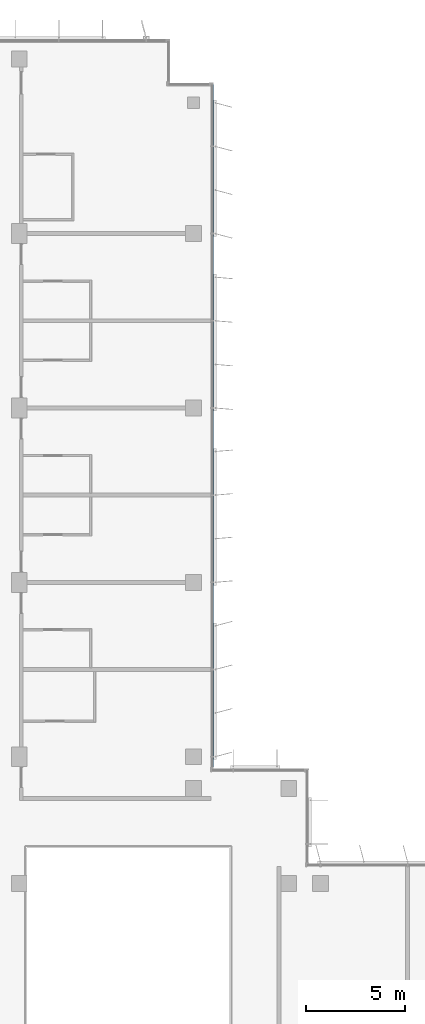
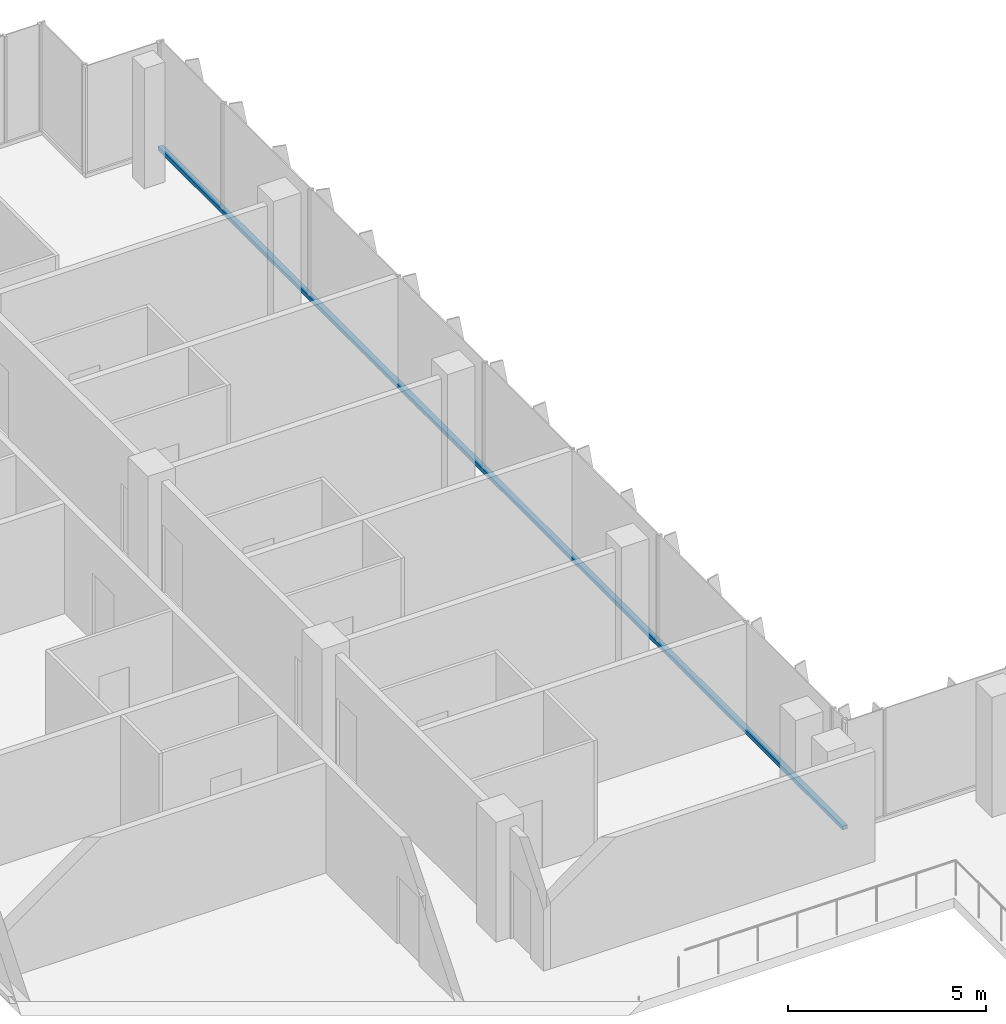
# One storey, part 5 of 17: 1 member, 1 element without a shape of its own.
"""IFC4 building model written with IfcOpenShell, lengths in metres."""

from ifc_helpers import new_model, si_unit, direction, frame, origin, origin_2d, place, context, subcontext, project, spatial, rectangle, extrude, material, material_profile, profile_set, type_object, element, aggregate, save


model = new_model("IFC4")

# Units and contexts
model_context = context("Model", 3, precision=1e-05, world=origin(), true_north=direction((0.0, 1.0)))
body_context = subcontext(model_context, "Body", "Model", "MODEL_VIEW")
ifc_project = project(units=[si_unit("LENGTHUNIT", "METRE"), si_unit("AREAUNIT", "SQUARE_METRE"), si_unit("VOLUMEUNIT", "CUBIC_METRE"), si_unit("PLANEANGLEUNIT", "RADIAN"), si_unit("MASSUNIT", "GRAM", prefix="KILO")], contexts=[model_context])

# Site, building, storey
site_placement = place(None, origin())
site = spatial("IfcSite", under=ifc_project, at=site_placement, CompositionType="ELEMENT")
building_placement = place(site_placement, origin())
building = spatial("IfcBuilding", under=site, at=building_placement, Name="Kemantara Hotel Tower", CompositionType="ELEMENT")
storey_placement = place(building_placement, frame((0.0, 0.0, 222.800048828125)))
storey = spatial("IfcBuildingStorey", under=building, at=storey_placement, Name="L55", CompositionType="ELEMENT", Elevation=222.800048828125)

# Curtain wall, member
ifc_material_1 = material(Name="Low-E tinted double insulated glass 36 mm", Category="glass")
curtain_wall_type = type_object("IfcCurtainWallType", Name="TOWER CURTAIN WALL, FRONT FACES", PredefinedType="USERDEFINED", material=ifc_material_1)
curtain_wall_placement = place(storey_placement, origin())
curtain_wall = element("IfcCurtainWall", 1, at=curtain_wall_placement, inside=storey, type_object=curtain_wall_type, Name="CW4 L55 T4-R15-1", ObjectType="TOWER CURTAIN WALL, FRONT FACES", PredefinedType="USERDEFINED")
ifc_material_2 = material(Name="Aluminium 6063-T6 bronze anodised", Category="aluminium")
ifc_material_profile = material_profile(ifc_material_2, rectangle(XDim=0.14990234375, YDim=0.1201171875, at=origin_2d()), Name="TOWER CURTAIN WALL, FRONT FACES TRANSOM")
ifc_profile_set = profile_set([ifc_material_profile], Name="Aluminium 6063-T6 bronze anodised")
member_type = type_object("IfcMemberType", Name="TOWER CURTAIN WALL, FRONT FACES TRANSOM", PredefinedType="USERDEFINED", material=ifc_profile_set)
member_placement = place(storey_placement, frame((21.925048828125, 26.800048828125, 0.06005859375), z_axis=(0.0, 1.0, 0.0), x_axis=(-1.0, 0.0, 0.0)))
member = element("IfcMember", 2, at=member_placement, type_object=member_type, Name="CW4 sill transom T4-R15-1", ObjectType="TRANSOM", PredefinedType="USERDEFINED", context=body_context, shape_type="SweptSolid", body=[
    extrude(rectangle(XDim=0.14990234375, YDim=0.1201171875, at=origin_2d()), origin(), (0.0, 0.0, 1.0), 34.599853515625),
])
aggregate(curtain_wall, [member])

save(model, "model.ifc")
